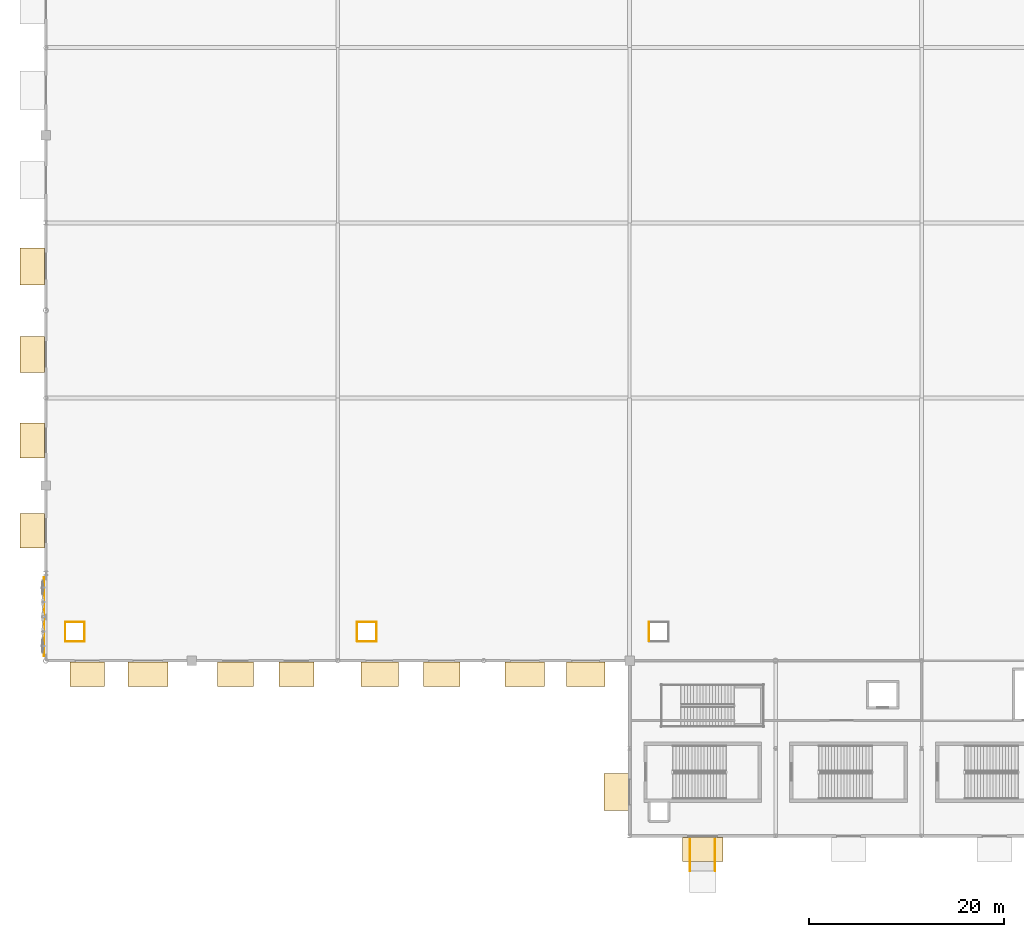
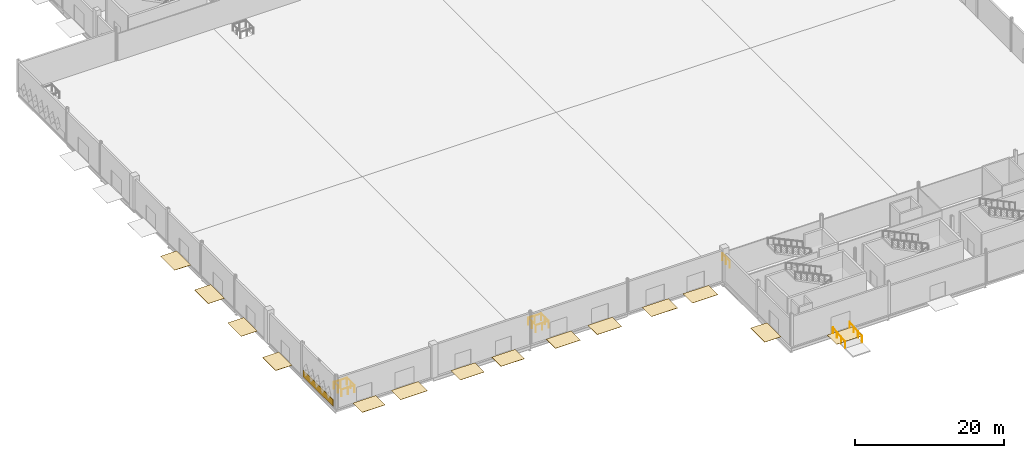
# One storey, part 73 of 94: 15 coverings, 11 railings.
"""IFC4 building model written with IfcOpenShell, lengths in metres."""

from ifc_helpers import new_model, si_unit, direction, frame, origin, origin_2d, place, context, subcontext, project, spatial, rectangle, circle, extrude, material, layer, layer_set, type_object, element, save


model = new_model("IFC4")

# Units and contexts
model_context = context("Model", 3, precision=1e-05, world=origin(), true_north=direction((0.0, 1.0)))
body_context = subcontext(model_context, "Body", "Model", "MODEL_VIEW")
ifc_project = project(units=[si_unit("LENGTHUNIT", "METRE"), si_unit("AREAUNIT", "SQUARE_METRE"), si_unit("VOLUMEUNIT", "CUBIC_METRE"), si_unit("PLANEANGLEUNIT", "RADIAN"), si_unit("MASSUNIT", "GRAM", prefix="KILO")], contexts=[model_context])

# Site, building, storey
site_placement = place(None, origin())
site = spatial("IfcSite", under=ifc_project, at=site_placement, CompositionType="ELEMENT")
building_placement = place(site_placement, origin())
building = spatial("IfcBuilding", under=site, at=building_placement, Name="Qamarlyn Nura Convention Centre", CompositionType="ELEMENT")
storey_placement = place(building_placement, origin())
storey = spatial("IfcBuildingStorey", under=building, at=storey_placement, Name="L00", CompositionType="ELEMENT", Elevation=0.0)

# Coverings
ifc_material_1 = material(Name="Polished coastal aggregate terrazzo")
ifc_layer_1 = layer(ifc_material_1, 0.030029296875, Name="COV-FLOOR-TERR")
ifc_layer_set_1 = layer_set([ifc_layer_1], Name="Polished coastal aggregate terrazzo")
covering_type_1 = type_object("IfcCoveringType", Name="COV-FLOOR-TERR", PredefinedType="FLOORING", material=ifc_layer_set_1)
covering_1_placement = place(storey_placement, frame((-1.39990234375, 31.36865234375, -0.02978515625), z_axis=(0.0, 0.0, 1.0), x_axis=(0.0, 1.0, 0.0)))
element("IfcCovering", 1, at=covering_1_placement, inside=storey, type_object=covering_type_1, Name="Exterior exit threshold apron E-01", PredefinedType="FLOORING", context=body_context, shape_type="SweptSolid", body=[
    extrude(rectangle(XDim=3.550048828125, YDim=2.5, at=origin_2d()), origin(), (0.0, 0.0, 1.0), 0.030029296875),
])
covering_2_placement = place(storey_placement, frame((-1.39990234375, 40.635986328125, -0.02978515625), z_axis=(0.0, 0.0, 1.0), x_axis=(0.0, 1.0, 0.0)))
element("IfcCovering", 2, at=covering_2_placement, inside=storey, type_object=covering_type_1, Name="Exterior exit threshold apron E-02", PredefinedType="FLOORING", context=body_context, shape_type="SweptSolid", body=[
    extrude(rectangle(XDim=3.6201171875, YDim=2.5, at=origin_2d()), origin(), (0.0, 0.0, 1.0), 0.030029296875),
])
covering_3_placement = place(storey_placement, frame((-1.39990234375, 49.474609375, -0.02978515625), z_axis=(0.0, 0.0, 1.0), x_axis=(0.0, 1.0, 0.0)))
element("IfcCovering", 3, at=covering_3_placement, inside=storey, type_object=covering_type_1, Name="Exterior exit threshold apron E-03", PredefinedType="FLOORING", context=body_context, shape_type="SweptSolid", body=[
    extrude(rectangle(XDim=3.699951171875, YDim=2.5, at=origin_2d()), origin(), (0.0, 0.0, 1.0), 0.030029296875),
])
covering_4_placement = place(storey_placement, frame((-1.39990234375, 58.520751953125, -0.02978515625), z_axis=(0.0, 0.0, 1.0), x_axis=(0.0, 1.0, 0.0)))
element("IfcCovering", 4, at=covering_4_placement, inside=storey, type_object=covering_type_1, Name="Exterior exit threshold apron E-04", PredefinedType="FLOORING", context=body_context, shape_type="SweptSolid", body=[
    extrude(rectangle(XDim=3.780029296875, YDim=2.5, at=origin_2d()), origin(), (0.0, 0.0, 1.0), 0.030029296875),
])
covering_5_placement = place(storey_placement, frame((10.50732421875, 16.60009765625, -0.02978515625), z_axis=(0.0, 0.0, 1.0), x_axis=(-1.0, 0.0, 0.0)))
element("IfcCovering", 5, at=covering_5_placement, inside=storey, type_object=covering_type_1, Name="Exterior exit threshold apron E-08", PredefinedType="FLOORING", context=body_context, shape_type="SweptSolid", body=[
    extrude(rectangle(XDim=4.14990234375, YDim=2.5, at=origin_2d()), origin(), (0.0, 0.0, 1.0), 0.030029296875),
])
covering_6_placement = place(storey_placement, frame((4.271728515625, 16.60009765625, -0.02978515625), z_axis=(0.0, 0.0, 1.0), x_axis=(-1.0, 0.0, 0.0)))
element("IfcCovering", 6, at=covering_6_placement, inside=storey, type_object=covering_type_1, Name="Exterior exit threshold apron E-09", PredefinedType="FLOORING", context=body_context, shape_type="SweptSolid", body=[
    extrude(rectangle(XDim=3.550048828125, YDim=2.5, at=origin_2d()), origin(), (0.0, 0.0, 1.0), 0.030029296875),
])
covering_7_placement = place(storey_placement, frame((25.766357421875, 16.60009765625, -0.02978515625), z_axis=(0.0, 0.0, 1.0), x_axis=(-1.0, 0.0, 0.0)))
element("IfcCovering", 7, at=covering_7_placement, inside=storey, type_object=covering_type_1, Name="Exterior exit threshold apron E-10", PredefinedType="FLOORING", context=body_context, shape_type="SweptSolid", body=[
    extrude(rectangle(XDim=3.6201171875, YDim=2.5, at=origin_2d()), origin(), (0.0, 0.0, 1.0), 0.030029296875),
])
covering_8_placement = place(storey_placement, frame((19.50537109375, 16.60009765625, -0.02978515625), z_axis=(0.0, 0.0, 1.0), x_axis=(-1.0, 0.0, 0.0)))
element("IfcCovering", 8, at=covering_8_placement, inside=storey, type_object=covering_type_1, Name="Exterior exit threshold apron E-11", PredefinedType="FLOORING", context=body_context, shape_type="SweptSolid", body=[
    extrude(rectangle(XDim=3.699951171875, YDim=2.5, at=origin_2d()), origin(), (0.0, 0.0, 1.0), 0.030029296875),
])
covering_9_placement = place(storey_placement, frame((40.698486328125, 16.60009765625, -0.02978515625), z_axis=(0.0, 0.0, 1.0), x_axis=(-1.0, 0.0, 0.0)))
element("IfcCovering", 9, at=covering_9_placement, inside=storey, type_object=covering_type_1, Name="Exterior exit threshold apron E-12", PredefinedType="FLOORING", context=body_context, shape_type="SweptSolid", body=[
    extrude(rectangle(XDim=3.780029296875, YDim=2.5, at=origin_2d()), origin(), (0.0, 0.0, 1.0), 0.030029296875),
])
covering_10_placement = place(storey_placement, frame((34.301513671875, 16.60009765625, -0.02978515625), z_axis=(0.0, 0.0, 1.0), x_axis=(-1.0, 0.0, 0.0)))
element("IfcCovering", 10, at=covering_10_placement, inside=storey, type_object=covering_type_1, Name="Exterior exit threshold apron E-13", PredefinedType="FLOORING", context=body_context, shape_type="SweptSolid", body=[
    extrude(rectangle(XDim=3.85009765625, YDim=2.5, at=origin_2d()), origin(), (0.0, 0.0, 1.0), 0.030029296875),
])
covering_11_placement = place(storey_placement, frame((55.49462890625, 16.60009765625, -0.02978515625), z_axis=(0.0, 0.0, 1.0), x_axis=(-1.0, 0.0, 0.0)))
element("IfcCovering", 11, at=covering_11_placement, inside=storey, type_object=covering_type_1, Name="Exterior exit threshold apron E-14", PredefinedType="FLOORING", context=body_context, shape_type="SweptSolid", body=[
    extrude(rectangle(XDim=3.949951171875, YDim=2.5, at=origin_2d()), origin(), (0.0, 0.0, 1.0), 0.030029296875),
])
covering_12_placement = place(storey_placement, frame((49.233642578125, 16.60009765625, -0.02978515625), z_axis=(0.0, 0.0, 1.0), x_axis=(-1.0, 0.0, 0.0)))
element("IfcCovering", 12, at=covering_12_placement, inside=storey, type_object=covering_type_1, Name="Exterior exit threshold apron E-15", PredefinedType="FLOORING", context=body_context, shape_type="SweptSolid", body=[
    extrude(rectangle(XDim=4.050048828125, YDim=2.5, at=origin_2d()), origin(), (0.0, 0.0, 1.0), 0.030029296875),
])
covering_13_placement = place(storey_placement, frame((67.501220703125, -1.389892578125, -0.02978515625), z_axis=(0.0, 0.0, 1.0), x_axis=(-1.0, 0.0, 0.0)))
element("IfcCovering", 13, at=covering_13_placement, inside=storey, type_object=covering_type_1, Name="Exterior exit threshold apron E-16", PredefinedType="FLOORING", context=body_context, shape_type="SweptSolid", body=[
    extrude(rectangle(XDim=4.14990234375, YDim=2.5, at=origin_2d()), origin(), (0.0, 0.0, 1.0), 0.030029296875),
])
covering_14_placement = place(storey_placement, frame((58.610107421875, 4.50390625, -0.02978515625), z_axis=(0.0, 0.0, 1.0), x_axis=(0.0, 1.0, 0.0)))
element("IfcCovering", 14, at=covering_14_placement, inside=storey, type_object=covering_type_1, Name="Exterior exit threshold apron E-20", PredefinedType="FLOORING", context=body_context, shape_type="SweptSolid", body=[
    extrude(rectangle(XDim=3.780029296875, YDim=2.5, at=origin_2d()), origin(), (0.0, 0.0, 1.0), 0.030029296875),
])
ifc_material_2 = material(Name="UAE coastal limestone stone cladding", Category="masonry")
ifc_layer_2 = layer(ifc_material_2, 0.044921875, Name="COV-PLINTH-LIME")
ifc_layer_set_2 = layer_set([ifc_layer_2], Name="UAE coastal limestone stone cladding")
covering_type_2 = type_object("IfcCoveringType", Name="COV-PLINTH-LIME", PredefinedType="CLADDING", material=ifc_layer_set_2)
covering_15_placement = place(storey_placement, frame((-0.16845703125, 22.520751953125, 0.0), z_axis=(0.0, 0.0, 1.0), x_axis=(0.0, 1.0, 0.0)))
element("IfcCovering", 15, at=covering_15_placement, inside=storey, type_object=covering_type_2, Name="L00 UAE coastal limestone stone plinth cladding WEXT-L00-0-183-0-268", PredefinedType="CLADDING", context=body_context, shape_type="SweptSolid", body=[
    extrude(rectangle(XDim=8.133544921875, YDim=0.044921875, at=origin_2d()), origin(), (0.0, 0.0, 1.0), 1.10009765625),
])

# Railings
ifc_material_3 = material(Name="Marine Grade 316 stainless steel", Category="steel")
railing_type_1 = type_object("IfcRailingType", Name="GRD-STAIR-112", PredefinedType="BALUSTRADE", material=ifc_material_3)
for number, where, name in (
    (16, (66.2099609375, -3.60009765625, -0.300048828125), "West Exhibition accessible entrance ramp PR-03 side guard L"),
    (17, (68.7900390625, -3.60009765625, -0.300048828125), "West Exhibition accessible entrance ramp PR-03 side guard R"),
):
    element("IfcRailing", number, at=place(storey_placement, frame(where)), inside=storey, type_object=railing_type_1, Name=name, PredefinedType="BALUSTRADE", context=body_context, shape_type="SweptSolid", body=[
        extrude(circle(Radius=0.02392578125, at=origin_2d()), frame((0.0, 0.0, 1.09619140625), z_axis=(0.0, 0.996547823064, 0.083020698301), x_axis=(-1.0, 0.0, 0.0)), (0.0, 0.0, 1.0), 3.26123046875),
        extrude(circle(Radius=0.02099609375, at=origin_2d()), origin(), (0.0, 0.0, 1.0), 1.070068359375),
        extrude(circle(Radius=0.02099609375, at=origin_2d()), frame((0.0, 1.083251953125, 0.09033203125)), (0.0, 0.0, 1.0), 1.070068359375),
        extrude(circle(Radius=0.02099609375, at=origin_2d()), frame((0.0, 2.166748046875, 0.180419921875)), (0.0, 0.0, 1.0), 1.070068359375),
        extrude(circle(Radius=0.02099609375, at=origin_2d()), frame((0.0, 3.25, 0.270751953125)), (0.0, 0.0, 1.0), 1.070068359375),
    ])
railing_type_2 = type_object("IfcRailingType", Name="GRD-VOID-112", PredefinedType="BALUSTRADE", material=ifc_material_3)
railing_1_placement = place(storey_placement, frame((2.0, 22.0, 0.0)))
element("IfcRailing", 18, at=railing_1_placement, inside=storey, type_object=railing_type_2, Name="L00 slab edge balustrade guard 001", PredefinedType="BALUSTRADE", context=body_context, shape_type="SweptSolid", body=[
    extrude(circle(Radius=0.02392578125, at=origin_2d()), frame((0.0, 0.0, 1.09619140625), z_axis=(0.0, -1.0, 0.0), x_axis=(1.0, 0.0, 0.0)), (0.0, 0.0, 1.0), 2.0),
    extrude(circle(Radius=0.02099609375, at=origin_2d()), origin(), (0.0, 0.0, 1.0), 1.070068359375),
    extrude(circle(Radius=0.02099609375, at=origin_2d()), frame((0.0, -1.0, 0.0)), (0.0, 0.0, 1.0), 1.070068359375),
    extrude(circle(Radius=0.02099609375, at=origin_2d()), frame((0.0, -2.0, 0.0)), (0.0, 0.0, 1.0), 1.070068359375),
])
railing_2_placement = place(storey_placement, frame((2.0, 20.0, 0.0)))
element("IfcRailing", 19, at=railing_2_placement, inside=storey, type_object=railing_type_2, Name="L00 slab edge balustrade guard 002", PredefinedType="BALUSTRADE", context=body_context, shape_type="SweptSolid", body=[
    extrude(circle(Radius=0.02392578125, at=origin_2d()), frame((0.0, 0.0, 1.09619140625), z_axis=(1.0, 0.0, 0.0), x_axis=(0.0, 1.0, 0.0)), (0.0, 0.0, 1.0), 2.0),
    extrude(circle(Radius=0.02099609375, at=origin_2d()), origin(), (0.0, 0.0, 1.0), 1.070068359375),
    extrude(circle(Radius=0.02099609375, at=origin_2d()), frame((1.0, 0.0, 0.0)), (0.0, 0.0, 1.0), 1.070068359375),
    extrude(circle(Radius=0.02099609375, at=origin_2d()), frame((2.0, 0.0, 0.0)), (0.0, 0.0, 1.0), 1.070068359375),
])
railing_3_placement = place(storey_placement, frame((4.0, 20.0, 0.0)))
element("IfcRailing", 20, at=railing_3_placement, inside=storey, type_object=railing_type_2, Name="L00 slab edge balustrade guard 003", PredefinedType="BALUSTRADE", context=body_context, shape_type="SweptSolid", body=[
    extrude(circle(Radius=0.02392578125, at=origin_2d()), frame((0.0, 0.0, 1.09619140625), z_axis=(0.0, 1.0, 0.0), x_axis=(-1.0, 0.0, 0.0)), (0.0, 0.0, 1.0), 2.0),
    extrude(circle(Radius=0.02099609375, at=origin_2d()), origin(), (0.0, 0.0, 1.0), 1.070068359375),
    extrude(circle(Radius=0.02099609375, at=origin_2d()), frame((0.0, 1.0, 0.0)), (0.0, 0.0, 1.0), 1.070068359375),
    extrude(circle(Radius=0.02099609375, at=origin_2d()), frame((0.0, 2.0, 0.0)), (0.0, 0.0, 1.0), 1.070068359375),
])
railing_4_placement = place(storey_placement, frame((4.0, 22.0, 0.0)))
element("IfcRailing", 21, at=railing_4_placement, inside=storey, type_object=railing_type_2, Name="L00 slab edge balustrade guard 004", PredefinedType="BALUSTRADE", context=body_context, shape_type="SweptSolid", body=[
    extrude(circle(Radius=0.02392578125, at=origin_2d()), frame((0.0, 0.0, 1.09619140625), z_axis=(-1.0, 0.0, 0.0), x_axis=(0.0, -1.0, 0.0)), (0.0, 0.0, 1.0), 2.0),
    extrude(circle(Radius=0.02099609375, at=origin_2d()), origin(), (0.0, 0.0, 1.0), 1.070068359375),
    extrude(circle(Radius=0.02099609375, at=origin_2d()), frame((-1.0, 0.0, 0.0)), (0.0, 0.0, 1.0), 1.070068359375),
    extrude(circle(Radius=0.02099609375, at=origin_2d()), frame((-2.0, 0.0, 0.0)), (0.0, 0.0, 1.0), 1.070068359375),
])
railing_5_placement = place(storey_placement, frame((32.0, 22.0, 0.0)))
element("IfcRailing", 22, at=railing_5_placement, inside=storey, type_object=railing_type_2, Name="L00 slab edge balustrade guard 005", PredefinedType="BALUSTRADE", context=body_context, shape_type="SweptSolid", body=[
    extrude(circle(Radius=0.02392578125, at=origin_2d()), frame((0.0, 0.0, 1.09619140625), z_axis=(0.0, -1.0, 0.0), x_axis=(1.0, 0.0, 0.0)), (0.0, 0.0, 1.0), 2.0),
    extrude(circle(Radius=0.02099609375, at=origin_2d()), origin(), (0.0, 0.0, 1.0), 1.070068359375),
    extrude(circle(Radius=0.02099609375, at=origin_2d()), frame((0.0, -1.0, 0.0)), (0.0, 0.0, 1.0), 1.070068359375),
    extrude(circle(Radius=0.02099609375, at=origin_2d()), frame((0.0, -2.0, 0.0)), (0.0, 0.0, 1.0), 1.070068359375),
])
railing_6_placement = place(storey_placement, frame((32.0, 20.0, 0.0)))
element("IfcRailing", 23, at=railing_6_placement, inside=storey, type_object=railing_type_2, Name="L00 slab edge balustrade guard 006", PredefinedType="BALUSTRADE", context=body_context, shape_type="SweptSolid", body=[
    extrude(circle(Radius=0.02392578125, at=origin_2d()), frame((0.0, 0.0, 1.09619140625), z_axis=(1.0, 0.0, 0.0), x_axis=(0.0, 1.0, 0.0)), (0.0, 0.0, 1.0), 2.0),
    extrude(circle(Radius=0.02099609375, at=origin_2d()), origin(), (0.0, 0.0, 1.0), 1.070068359375),
    extrude(circle(Radius=0.02099609375, at=origin_2d()), frame((1.0, 0.0, 0.0)), (0.0, 0.0, 1.0), 1.070068359375),
    extrude(circle(Radius=0.02099609375, at=origin_2d()), frame((2.0, 0.0, 0.0)), (0.0, 0.0, 1.0), 1.070068359375),
])
railing_7_placement = place(storey_placement, frame((34.0, 20.0, 0.0)))
element("IfcRailing", 24, at=railing_7_placement, inside=storey, type_object=railing_type_2, Name="L00 slab edge balustrade guard 007", PredefinedType="BALUSTRADE", context=body_context, shape_type="SweptSolid", body=[
    extrude(circle(Radius=0.02392578125, at=origin_2d()), frame((0.0, 0.0, 1.09619140625), z_axis=(0.0, 1.0, 0.0), x_axis=(-1.0, 0.0, 0.0)), (0.0, 0.0, 1.0), 2.0),
    extrude(circle(Radius=0.02099609375, at=origin_2d()), origin(), (0.0, 0.0, 1.0), 1.070068359375),
    extrude(circle(Radius=0.02099609375, at=origin_2d()), frame((0.0, 1.0, 0.0)), (0.0, 0.0, 1.0), 1.070068359375),
    extrude(circle(Radius=0.02099609375, at=origin_2d()), frame((0.0, 2.0, 0.0)), (0.0, 0.0, 1.0), 1.070068359375),
])
railing_8_placement = place(storey_placement, frame((34.0, 22.0, 0.0)))
element("IfcRailing", 25, at=railing_8_placement, inside=storey, type_object=railing_type_2, Name="L00 slab edge balustrade guard 008", PredefinedType="BALUSTRADE", context=body_context, shape_type="SweptSolid", body=[
    extrude(circle(Radius=0.02392578125, at=origin_2d()), frame((0.0, 0.0, 1.09619140625), z_axis=(-1.0, 0.0, 0.0), x_axis=(0.0, -1.0, 0.0)), (0.0, 0.0, 1.0), 2.0),
    extrude(circle(Radius=0.02099609375, at=origin_2d()), origin(), (0.0, 0.0, 1.0), 1.070068359375),
    extrude(circle(Radius=0.02099609375, at=origin_2d()), frame((-1.0, 0.0, 0.0)), (0.0, 0.0, 1.0), 1.070068359375),
    extrude(circle(Radius=0.02099609375, at=origin_2d()), frame((-2.0, 0.0, 0.0)), (0.0, 0.0, 1.0), 1.070068359375),
])
railing_9_placement = place(storey_placement, frame((62.0, 22.0, 0.0)))
element("IfcRailing", 26, at=railing_9_placement, inside=storey, type_object=railing_type_2, Name="L00 slab edge balustrade guard 009", PredefinedType="BALUSTRADE", context=body_context, shape_type="SweptSolid", body=[
    extrude(circle(Radius=0.02392578125, at=origin_2d()), frame((0.0, 0.0, 1.09619140625), z_axis=(0.0, -1.0, 0.0), x_axis=(1.0, 0.0, 0.0)), (0.0, 0.0, 1.0), 2.0),
    extrude(circle(Radius=0.02099609375, at=origin_2d()), origin(), (0.0, 0.0, 1.0), 1.070068359375),
    extrude(circle(Radius=0.02099609375, at=origin_2d()), frame((0.0, -1.0, 0.0)), (0.0, 0.0, 1.0), 1.070068359375),
    extrude(circle(Radius=0.02099609375, at=origin_2d()), frame((0.0, -2.0, 0.0)), (0.0, 0.0, 1.0), 1.070068359375),
])

save(model, "model.ifc")
